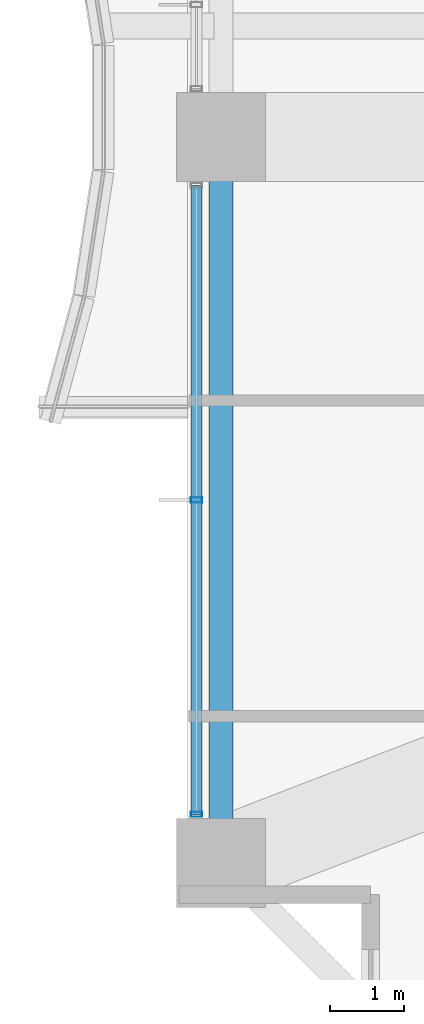
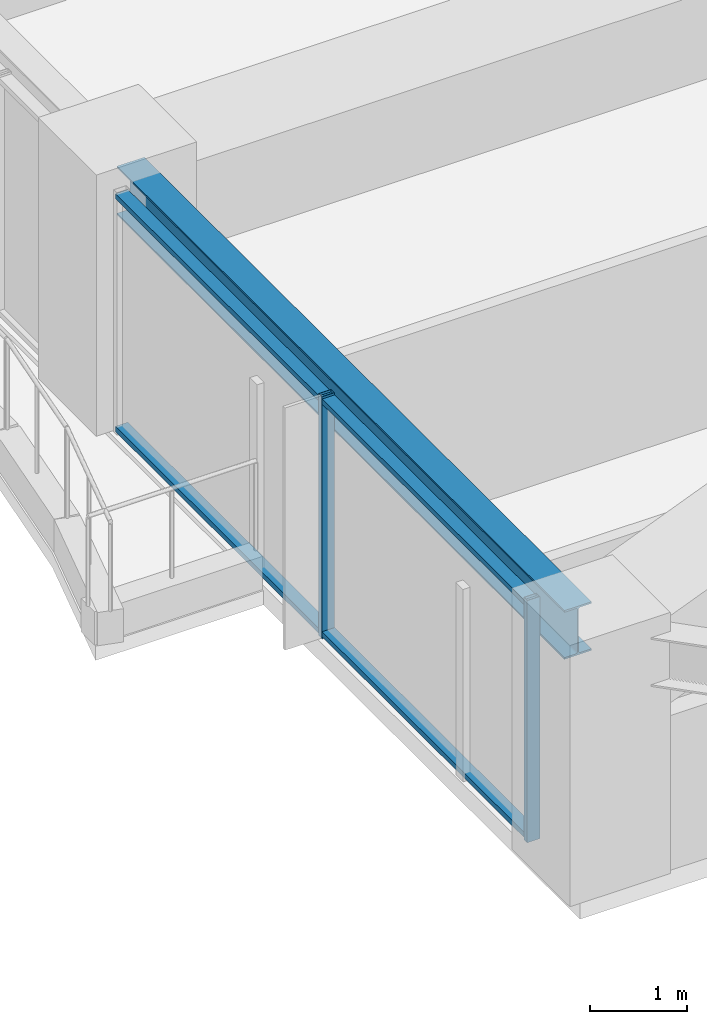
# One storey, part 3 of 39: 4 members, 1 beam, 1 element without a shape of its own.
"""IFC4 building model written with IfcOpenShell, lengths in metres."""

from ifc_helpers import new_model, si_unit, direction, frame, origin, origin_2d, place, context, subcontext, project, spatial, hollow_rectangle, i_section, extrude, material, material_profile, profile_set, type_object, element, aggregate, save


model = new_model("IFC4")

# Units and contexts
model_context = context("Model", 3, precision=1e-05, world=origin(), true_north=direction((0.0, 1.0)))
body_context = subcontext(model_context, "Body", "Model", "MODEL_VIEW")
ifc_project = project(units=[si_unit("LENGTHUNIT", "METRE"), si_unit("AREAUNIT", "SQUARE_METRE"), si_unit("VOLUMEUNIT", "CUBIC_METRE"), si_unit("PLANEANGLEUNIT", "RADIAN"), si_unit("MASSUNIT", "GRAM", prefix="KILO")], contexts=[model_context])

# Site, building, storey
site_placement = place(None, origin())
site = spatial("IfcSite", under=ifc_project, at=site_placement, CompositionType="ELEMENT")
building_placement = place(site_placement, origin())
building = spatial("IfcBuilding", under=site, at=building_placement, Name="Kolvaren Belvedere", CompositionType="ELEMENT")
storey_placement = place(building_placement, frame((0.0, 0.0, 33.699951171875)))
storey = spatial("IfcBuildingStorey", under=building, at=storey_placement, Name="L09", CompositionType="ELEMENT", Elevation=33.699951171875)

# Beam
ifc_material_1 = material(Name="Structural steel ASTM A992 Grade 50", Category="steel")
ifc_material_profile_1 = material_profile(ifc_material_1, i_section(OverallWidth=0.324951171875, OverallDepth=0.615966796875, WebThickness=0.013916015625, FlangeThickness=0.021484375, FilletRadius=0.02001953125, at=origin_2d()), Name="W24X117")
ifc_profile_set_1 = profile_set([ifc_material_profile_1], Name="Structural steel ASTM A992 Grade 50")
beam_type = type_object("IfcBeamType", Name="BM-SPAN-W24X117", PredefinedType="SPANDREL", material=ifc_profile_set_1)
beam_placement = place(storey_placement, frame((-21.550048828125, -4.8701171875, 2.751953125), z_axis=(0.0, -1.0, 0.0), x_axis=(1.0, 0.0, 0.0)))
element("IfcBeam", 1, at=beam_placement, inside=storey, type_object=beam_type, Name="L09 Perimeter Spandrel W2-W1", PredefinedType="SPANDREL", context=body_context, shape_type="SweptSolid", body=[
    extrude(i_section(OverallWidth=0.324951171875, OverallDepth=0.615966796875, WebThickness=0.013916015625, FlangeThickness=0.021484375, FilletRadius=0.02001953125, at=origin_2d()), origin(), (0.0, 0.0, 1.0), 9.259765625),
])

# Curtain wall, members
ifc_material_2 = material(Name="Anodised pale-metal aluminium AA 6063-T6", Category="aluminium")
curtain_wall_type = type_object("IfcCurtainWallType", Name="CW-Z1-LOW", PredefinedType="NOTDEFINED", material=ifc_material_2)
curtain_wall_placement = place(storey_placement, origin())
curtain_wall = element("IfcCurtainWall", 2, at=curtain_wall_placement, inside=storey, type_object=curtain_wall_type, Name="L09 Unitised Curtain Wall FCW-L09-W1-B1", PredefinedType="NOTDEFINED")
ifc_material_3 = material(Name="Anodised pale-metal aluminium AA 6063-T6", Category="aluminium")
ifc_material_profile_2 = material_profile(ifc_material_3, hollow_rectangle(XDim=0.070068359375, YDim=0.14990234375, WallThickness=0.004150390625, at=origin_2d()), Name="ALU-MUL-150X70")
ifc_profile_set_2 = profile_set([ifc_material_profile_2], Name="Anodised pale-metal aluminium AA 6063-T6")
member_type_1 = type_object("IfcMemberType", Name="CW-MUL-150", PredefinedType="MULLION", material=ifc_profile_set_2)
member_1_placement = place(storey_placement, frame((-21.8798828125, -13.7451171875, 0.0), z_axis=(0.0, 0.0, 1.0), x_axis=(0.0, 1.0, 0.0)))
member_1 = element("IfcMember", 3, at=member_1_placement, type_object=member_type_1, Name="FCW-L09-W1-B1 Unitised Mullion 1", PredefinedType="MULLION", context=body_context, shape_type="SweptSolid", body=[
    extrude(hollow_rectangle(XDim=0.070068359375, YDim=0.14990234375, WallThickness=0.004150390625, at=origin_2d()), origin(), (0.0, 0.0, 1.0), 3.06005859375),
])
member_2_placement = place(storey_placement, frame((-21.8798828125, -9.5, 0.0), z_axis=(0.0, 0.0, 1.0), x_axis=(0.0, 1.0, 0.0)))
member_2 = element("IfcMember", 4, at=member_2_placement, type_object=member_type_1, Name="FCW-L09-W1-B1 Unitised Mullion 2", PredefinedType="MULLION", context=body_context, shape_type="SweptSolid", body=[
    extrude(hollow_rectangle(XDim=0.070068359375, YDim=0.14990234375, WallThickness=0.004150390625, at=origin_2d()), origin(), (0.0, 0.0, 1.0), 3.06005859375),
])
ifc_material_4 = material(Name="Anodised pale-metal aluminium AA 6063-T6", Category="aluminium")
ifc_material_profile_3 = material_profile(ifc_material_4, hollow_rectangle(XDim=0.06494140625, YDim=0.14990234375, WallThickness=0.00390625, at=origin_2d()), Name="ALU-TRN-150X65")
ifc_profile_set_3 = profile_set([ifc_material_profile_3], Name="Anodised pale-metal aluminium AA 6063-T6")
member_type_2 = type_object("IfcMemberType", Name="CW-TRN-150", PredefinedType="USERDEFINED", material=ifc_profile_set_3)
member_3_placement = place(storey_placement, frame((-21.8798828125, -13.7451171875, 0.06005859375), z_axis=(0.0, 1.0, 0.0), x_axis=(0.0, 0.0, 1.0)))
member_3 = element("IfcMember", 5, at=member_3_placement, type_object=member_type_2, Name="FCW-L09-W1-B1 Sill Transom", ObjectType="TRANSOM", PredefinedType="USERDEFINED", context=body_context, shape_type="SweptSolid", body=[
    extrude(hollow_rectangle(XDim=0.06494140625, YDim=0.14990234375, WallThickness=0.00390625, at=origin_2d()), origin(), (0.0, 0.0, 1.0), 8.490234375),
])
member_4_placement = place(storey_placement, frame((-21.8798828125, -13.7451171875, 3.0), z_axis=(0.0, 1.0, 0.0), x_axis=(0.0, 0.0, 1.0)))
member_4 = element("IfcMember", 6, at=member_4_placement, type_object=member_type_2, Name="FCW-L09-W1-B1 Head Transom", ObjectType="TRANSOM", PredefinedType="USERDEFINED", context=body_context, shape_type="SweptSolid", body=[
    extrude(hollow_rectangle(XDim=0.06494140625, YDim=0.14990234375, WallThickness=0.00390625, at=origin_2d()), origin(), (0.0, 0.0, 1.0), 8.490234375),
])
aggregate(curtain_wall, [member_1, member_2, member_3, member_4])

save(model, "model.ifc")
